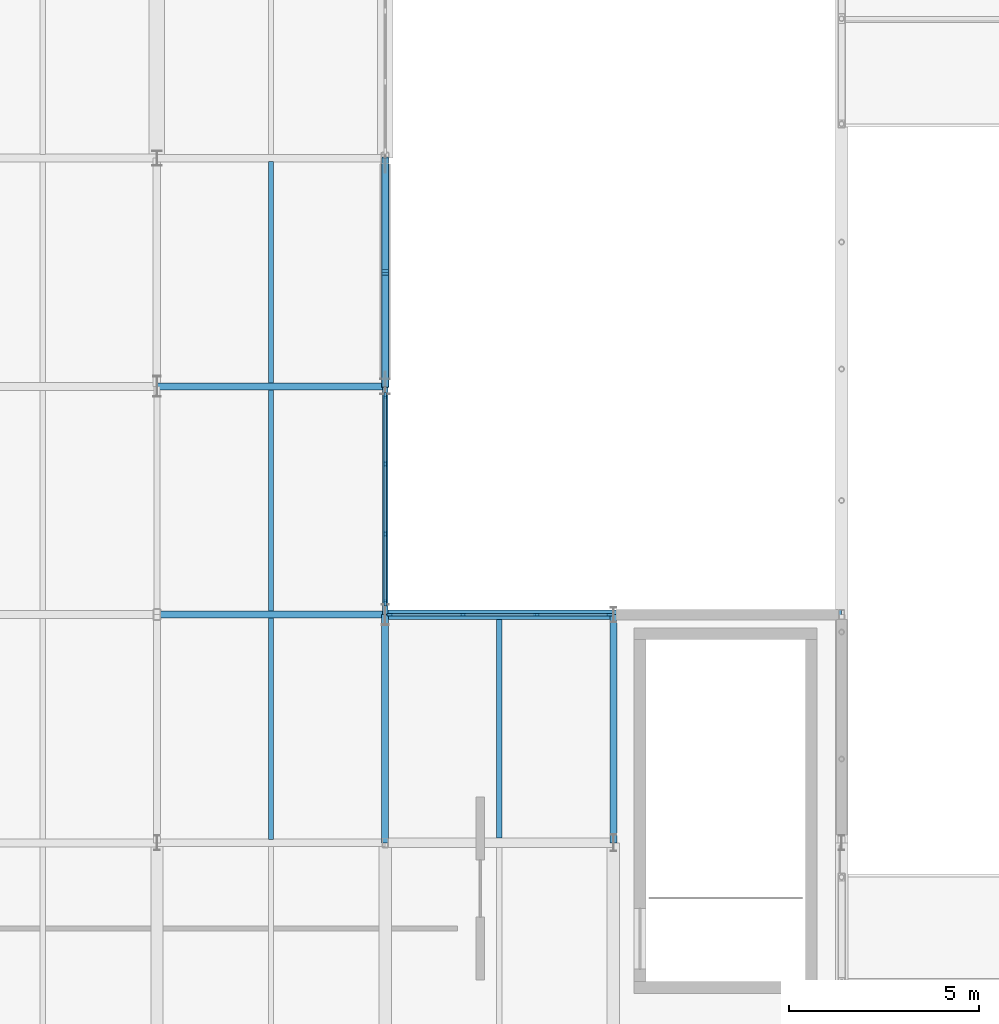
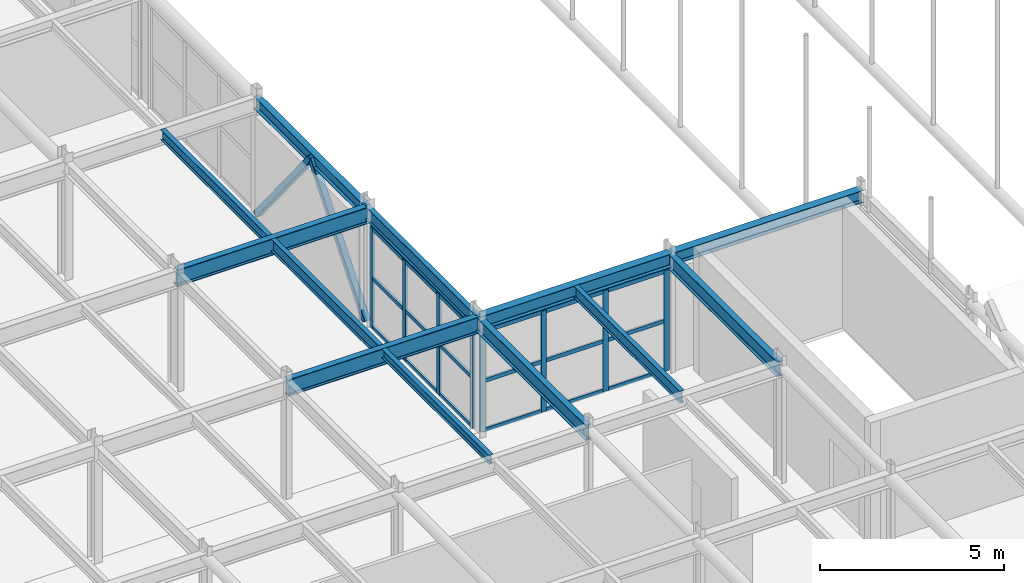
# One storey, part 28 of 116: 28 members, 12 beams, 2 elements without a shape of their own.
"""IFC4 building model written with IfcOpenShell, lengths in metres."""

from ifc_helpers import new_model, si_unit, direction, frame, origin, origin_2d, place, context, subcontext, project, spatial, rectangle, hollow_rectangle, i_section, extrude, material, material_profile, profile_set, type_object, element, aggregate, save


model = new_model("IFC4")

# Units and contexts
model_context = context("Model", 3, precision=1e-05, world=origin(), true_north=direction((0.0, 1.0)))
body_context = subcontext(model_context, "Body", "Model", "MODEL_VIEW")
ifc_project = project(units=[si_unit("LENGTHUNIT", "METRE"), si_unit("AREAUNIT", "SQUARE_METRE"), si_unit("VOLUMEUNIT", "CUBIC_METRE"), si_unit("PLANEANGLEUNIT", "RADIAN"), si_unit("MASSUNIT", "GRAM", prefix="KILO")], contexts=[model_context])

# Site, building, storey
site_placement = place(None, origin())
site = spatial("IfcSite", under=ifc_project, at=site_placement, CompositionType="ELEMENT")
building_placement = place(site_placement, origin())
building = spatial("IfcBuilding", under=site, at=building_placement, Name="Varnakota Square Police Headquarters", CompositionType="ELEMENT")
storey_placement = place(building_placement, frame((0.0, 0.0, 9.300048828125)))
storey = spatial("IfcBuildingStorey", under=building, at=storey_placement, Name="L02", CompositionType="ELEMENT", Elevation=9.300048828125)

# Beams
ifc_material_1 = material(Name="Steel IS 2062 Grade 350", Category="steel")
ifc_material_profile_1 = material_profile(ifc_material_1, i_section(OverallWidth=0.25, OverallDepth=0.39990234375, WebThickness=0.010498046875, FlangeThickness=0.0126953125, FilletRadius=0.013916015625, at=origin_2d()), Name="ISHB 400")
ifc_profile_set_1 = profile_set([ifc_material_profile_1], Name="Steel IS 2062 Grade 350")
beam_type_1 = type_object("IfcBeamType", Name="BM-ISHB400", PredefinedType="BEAM", material=ifc_profile_set_1)
beam_1_placement = place(storey_placement, frame((48.0, 21.0, 3.699951171875), z_axis=(1.0, 0.0, 0.0), x_axis=(0.0, 1.0, 0.0)))
element("IfcBeam", 1, at=beam_1_placement, inside=storey, type_object=beam_type_1, Name="BMG-L02-1948", PredefinedType="BEAM", context=body_context, shape_type="SweptSolid", body=[
    extrude(i_section(OverallWidth=0.25, OverallDepth=0.39990234375, WebThickness=0.010498046875, FlangeThickness=0.0126953125, FilletRadius=0.013916015625, at=origin_2d()), origin(), (0.0, 0.0, 1.0), 6.0),
])
ifc_material_profile_2 = material_profile(ifc_material_1, i_section(OverallWidth=0.25, OverallDepth=0.449951171875, WebThickness=0.01123046875, FlangeThickness=0.013671875, FilletRadius=0.014892578125, at=origin_2d()), Name="ISHB 450")
ifc_profile_set_2 = profile_set([ifc_material_profile_2], Name="Steel IS 2062 Grade 350")
beam_type_2 = type_object("IfcBeamType", Name="BM-ISHB450", PredefinedType="BEAM", material=ifc_profile_set_2)
beam_2_placement = place(storey_placement, frame((42.0, 21.0, 3.675048828125), z_axis=(1.0, 0.0, 0.0), x_axis=(0.0, 1.0, 0.0)))
element("IfcBeam", 2, at=beam_2_placement, inside=storey, type_object=beam_type_2, Name="BMG-L02-1947", PredefinedType="BEAM", context=body_context, shape_type="SweptSolid", body=[
    extrude(i_section(OverallWidth=0.25, OverallDepth=0.449951171875, WebThickness=0.01123046875, FlangeThickness=0.013671875, FilletRadius=0.014892578125, at=origin_2d()), origin(), (0.0, 0.0, 1.0), 6.0),
])
ifc_material_profile_3 = material_profile(ifc_material_1, i_section(OverallWidth=0.139892578125, OverallDepth=0.300048828125, WebThickness=0.0078125, FlangeThickness=0.01318359375, FilletRadius=0.013916015625, at=origin_2d()), Name="ISMB 300")
ifc_profile_set_3 = profile_set([ifc_material_profile_3], Name="Steel IS 2062 Grade 350")
beam_type_3 = type_object("IfcBeamType", Name="BM-ISMB300", PredefinedType="JOIST", material=ifc_profile_set_3)
beam_3_placement = place(storey_placement, frame((39.0, 15.093017578125, 3.75), z_axis=(0.0, 1.0, 0.0), x_axis=(-1.0, 0.0, 0.0)))
element("IfcBeam", 3, at=beam_3_placement, inside=storey, type_object=beam_type_3, Name="BMG-L02-2358", PredefinedType="JOIST", context=body_context, shape_type="SweptSolid", body=[
    extrude(i_section(OverallWidth=0.139892578125, OverallDepth=0.300048828125, WebThickness=0.0078125, FlangeThickness=0.01318359375, FilletRadius=0.013916015625, at=origin_2d()), origin(), (0.0, 0.0, 1.0), 5.81396484375),
])
ifc_material_profile_4 = material_profile(ifc_material_1, i_section(OverallWidth=0.139892578125, OverallDepth=0.35009765625, WebThickness=0.008056640625, FlangeThickness=0.01416015625, FilletRadius=0.013916015625, at=origin_2d()), Name="ISMB 350")
ifc_profile_set_4 = profile_set([ifc_material_profile_4], Name="Steel IS 2062 Grade 350")
beam_type_4 = type_object("IfcBeamType", Name="BM-ISMB350", PredefinedType="JOIST", material=ifc_profile_set_4)
beam_4_placement = place(storey_placement, frame((39.0, 27.093017578125, 3.724853515625), z_axis=(0.0, 1.0, 0.0), x_axis=(-1.0, 0.0, 0.0)))
element("IfcBeam", 4, at=beam_4_placement, inside=storey, type_object=beam_type_4, Name="BMG-L02-2360", PredefinedType="JOIST", context=body_context, shape_type="SweptSolid", body=[
    extrude(i_section(OverallWidth=0.139892578125, OverallDepth=0.35009765625, WebThickness=0.008056640625, FlangeThickness=0.01416015625, FilletRadius=0.013916015625, at=origin_2d()), origin(), (0.0, 0.0, 1.0), 5.81396484375),
])
ifc_material_profile_5 = material_profile(ifc_material_1, i_section(OverallWidth=0.139892578125, OverallDepth=0.39990234375, WebThickness=0.0087890625, FlangeThickness=0.01611328125, FilletRadius=0.013916015625, at=origin_2d()), Name="ISMB 400")
ifc_profile_set_5 = profile_set([ifc_material_profile_5], Name="Steel IS 2062 Grade 350")
beam_type_5 = type_object("IfcBeamType", Name="BM-ISMB400", PredefinedType="JOIST", material=ifc_profile_set_5)
beam_5_placement = place(storey_placement, frame((39.0, 21.093017578125, 3.699951171875), z_axis=(0.0, 1.0, 0.0), x_axis=(-1.0, 0.0, 0.0)))
element("IfcBeam", 5, at=beam_5_placement, inside=storey, type_object=beam_type_5, Name="BMG-L02-2359", PredefinedType="JOIST", context=body_context, shape_type="SweptSolid", body=[
    extrude(i_section(OverallWidth=0.139892578125, OverallDepth=0.39990234375, WebThickness=0.0087890625, FlangeThickness=0.01611328125, FilletRadius=0.013916015625, at=origin_2d()), origin(), (0.0, 0.0, 1.0), 5.81396484375),
])
beam_6_placement = place(storey_placement, frame((45.0, 15.123046875, 3.699951171875), z_axis=(0.0, 1.0, 0.0), x_axis=(-1.0, 0.0, 0.0)))
element("IfcBeam", 6, at=beam_6_placement, inside=storey, type_object=beam_type_5, Name="BMG-L02-2370", PredefinedType="JOIST", context=body_context, shape_type="SweptSolid", body=[
    extrude(i_section(OverallWidth=0.139892578125, OverallDepth=0.39990234375, WebThickness=0.0087890625, FlangeThickness=0.01611328125, FilletRadius=0.013916015625, at=origin_2d()), origin(), (0.0, 0.0, 1.0), 5.75390625),
])
ifc_material_profile_6 = material_profile(ifc_material_1, i_section(OverallWidth=0.14990234375, OverallDepth=0.449951171875, WebThickness=0.009521484375, FlangeThickness=0.017333984375, FilletRadius=0.014892578125, at=origin_2d()), Name="ISMB 450")
ifc_profile_set_6 = profile_set([ifc_material_profile_6], Name="Steel IS 2062 Grade 350")
beam_type_6 = type_object("IfcBeamType", Name="BM-ISMB450", PredefinedType="BEAM", material=ifc_profile_set_6)
beam_7_placement = place(storey_placement, frame((42.0, 21.0, 3.675048828125), z_axis=(0.0, 1.0, 0.0), x_axis=(-1.0, 0.0, 0.0)))
element("IfcBeam", 7, at=beam_7_placement, inside=storey, type_object=beam_type_6, Name="BMG-L02-2183", PredefinedType="BEAM", context=body_context, shape_type="SweptSolid", body=[
    extrude(i_section(OverallWidth=0.14990234375, OverallDepth=0.449951171875, WebThickness=0.009521484375, FlangeThickness=0.017333984375, FilletRadius=0.014892578125, at=origin_2d()), origin(), (0.0, 0.0, 1.0), 6.0),
])
ifc_material_profile_7 = material_profile(ifc_material_1, i_section(OverallWidth=0.179931640625, OverallDepth=0.5, WebThickness=0.01025390625, FlangeThickness=0.01708984375, FilletRadius=0.01708984375, at=origin_2d()), Name="ISMB 500")
ifc_profile_set_7 = profile_set([ifc_material_profile_7], Name="Steel IS 2062 Grade 350")
beam_type_7 = type_object("IfcBeamType", Name="BM-ISMB500", PredefinedType="BEAM", material=ifc_profile_set_7)
for number, where, z_axis, x_axis, name in (
    (8, (42.0, 15.0, 3.64990234375), (0.0, 1.0, 0.0), (-1.0, 0.0, 0.0), "BMG-L02-2182"),
    (9, (48.0, 15.0, 3.64990234375), (0.0, 1.0, 0.0), (-1.0, 0.0, 0.0), "BMG-L02-2196"),
):
    element("IfcBeam", number, at=place(storey_placement, frame(where, z_axis=z_axis, x_axis=x_axis)), inside=storey, type_object=beam_type_7, Name=name, PredefinedType="BEAM", context=body_context, shape_type="SweptSolid", body=[
        extrude(i_section(OverallWidth=0.179931640625, OverallDepth=0.5, WebThickness=0.01025390625, FlangeThickness=0.01708984375, FilletRadius=0.01708984375, at=origin_2d()), origin(), (0.0, 0.0, 1.0), 6.0),
    ])
ifc_material_profile_8 = material_profile(ifc_material_1, i_section(OverallWidth=0.18994140625, OverallDepth=0.550048828125, WebThickness=0.01123046875, FlangeThickness=0.019287109375, FilletRadius=0.01806640625, at=origin_2d()), Name="ISMB 550")
ifc_profile_set_8 = profile_set([ifc_material_profile_8], Name="Steel IS 2062 Grade 350")
beam_type_8 = type_object("IfcBeamType", Name="BM-ISMB550", PredefinedType="BEAM", material=ifc_profile_set_8)
for number, where, z_axis, x_axis, name in (
    (10, (36.0, 21.0, 3.625), (1.0, 0.0, 0.0), (0.0, 1.0, 0.0), "BMG-L02-1946"),
    (11, (36.0, 27.0, 3.625), (1.0, 0.0, 0.0), (0.0, 1.0, 0.0), "BMG-L02-1958"),
):
    element("IfcBeam", number, at=place(storey_placement, frame(where, z_axis=z_axis, x_axis=x_axis)), inside=storey, type_object=beam_type_8, Name=name, PredefinedType="BEAM", context=body_context, shape_type="SweptSolid", body=[
        extrude(i_section(OverallWidth=0.18994140625, OverallDepth=0.550048828125, WebThickness=0.01123046875, FlangeThickness=0.019287109375, FilletRadius=0.01806640625, at=origin_2d()), origin(), (0.0, 0.0, 1.0), 6.0),
    ])
ifc_material_profile_9 = material_profile(ifc_material_1, i_section(OverallWidth=0.199951171875, OverallDepth=0.39990234375, WebThickness=0.008544921875, FlangeThickness=0.012939453125, FilletRadius=0.012939453125, at=origin_2d()), Name="ISWB 400")
ifc_profile_set_9 = profile_set([ifc_material_profile_9], Name="Steel IS 2062 Grade 350")
beam_type_9 = type_object("IfcBeamType", Name="BM-ISWB400", PredefinedType="BEAM", material=ifc_profile_set_9)
beam_8_placement = place(storey_placement, frame((42.0, 27.0, 3.699951171875), z_axis=(0.0, 1.0, 0.0), x_axis=(-1.0, 0.0, 0.0)))
element("IfcBeam", 12, at=beam_8_placement, inside=storey, type_object=beam_type_9, Name="BMG-L02-2184", PredefinedType="BEAM", context=body_context, shape_type="SweptSolid", body=[
    extrude(i_section(OverallWidth=0.199951171875, OverallDepth=0.39990234375, WebThickness=0.008544921875, FlangeThickness=0.012939453125, FilletRadius=0.012939453125, at=origin_2d()), origin(), (0.0, 0.0, 1.0), 6.0),
])

# Curtain wall, members
ifc_material_2 = material(Name="Anodised Aluminium Framing", Category="aluminium")
curtain_wall_type_1 = type_object("IfcCurtainWallType", Name="CW-SYS-C", PredefinedType="NOTDEFINED", material=ifc_material_2)
curtain_wall_1_placement = place(storey_placement, origin())
curtain_wall_1 = element("IfcCurtainWall", 13, at=curtain_wall_1_placement, inside=storey, type_object=curtain_wall_type_1, Name="Unitised curtain wall CWG-L02-045", PredefinedType="NOTDEFINED")
ifc_material_3 = material(Name="Anodised Aluminium 6063-T6", Category="aluminium")
ifc_material_profile_10 = material_profile(ifc_material_3, rectangle(XDim=0.06494140625, YDim=0.159912109375, at=origin_2d()), Name="ALU MULLION 65x160")
ifc_profile_set_10 = profile_set([ifc_material_profile_10], Name="Anodised Aluminium 6063-T6")
member_type_1 = type_object("IfcMemberType", Name="CWM-150", PredefinedType="MULLION", material=ifc_profile_set_10)
member_1_placement = place(storey_placement, frame((42.132568359375, 21.0, 0.0), z_axis=(0.0, 0.0, 1.0), x_axis=(0.0, 1.0, 0.0)))
member_1 = element("IfcMember", 14, at=member_1_placement, type_object=member_type_1, Name="CWG-L02-045 mullion 1", PredefinedType="MULLION", context=body_context, shape_type="SweptSolid", body=[
    extrude(rectangle(XDim=0.06494140625, YDim=0.159912109375, at=origin_2d()), origin(), (0.0, 0.0, 1.0), 3.33984375),
])
member_2_placement = place(storey_placement, frame((44.041748046875, 21.0, 0.0), z_axis=(0.0, 0.0, 1.0), x_axis=(0.0, 1.0, 0.0)))
member_2 = element("IfcMember", 15, at=member_2_placement, type_object=member_type_1, Name="CWG-L02-045 mullion 2", PredefinedType="MULLION", context=body_context, shape_type="SweptSolid", body=[
    extrude(rectangle(XDim=0.06494140625, YDim=0.159912109375, at=origin_2d()), origin(), (0.0, 0.0, 1.0), 3.33984375),
])
member_3_placement = place(storey_placement, frame((45.9833984375, 21.0, 0.0), z_axis=(0.0, 0.0, 1.0), x_axis=(0.0, 1.0, 0.0)))
member_3 = element("IfcMember", 16, at=member_3_placement, type_object=member_type_1, Name="CWG-L02-045 mullion 3", PredefinedType="MULLION", context=body_context, shape_type="SweptSolid", body=[
    extrude(rectangle(XDim=0.06494140625, YDim=0.159912109375, at=origin_2d()), origin(), (0.0, 0.0, 1.0), 3.33984375),
])
member_4_placement = place(storey_placement, frame((47.892578125, 21.0, 0.0), z_axis=(0.0, 0.0, 1.0), x_axis=(0.0, 1.0, 0.0)))
member_4 = element("IfcMember", 17, at=member_4_placement, type_object=member_type_1, Name="CWG-L02-045 mullion 4", PredefinedType="MULLION", context=body_context, shape_type="SweptSolid", body=[
    extrude(rectangle(XDim=0.06494140625, YDim=0.159912109375, at=origin_2d()), origin(), (0.0, 0.0, 1.0), 3.33984375),
])

curtain_wall_type_2 = type_object("IfcCurtainWallType", Name="CW-SYS-D", PredefinedType="NOTDEFINED", material=ifc_material_2)
curtain_wall_2_placement = place(storey_placement, origin())
curtain_wall_2 = element("IfcCurtainWall", 18, at=curtain_wall_2_placement, inside=storey, type_object=curtain_wall_type_2, Name="Unitised curtain wall CWG-L02-154", PredefinedType="NOTDEFINED")
member_5_placement = place(storey_placement, frame((42.0, 21.3125, 0.0), z_axis=(0.0, 0.0, 1.0), x_axis=(-1.0, 0.0, 0.0)))
member_5 = element("IfcMember", 19, at=member_5_placement, type_object=member_type_1, Name="CWG-L02-154 mullion 1", PredefinedType="MULLION", context=body_context, shape_type="SweptSolid", body=[
    extrude(rectangle(XDim=0.06494140625, YDim=0.159912109375, at=origin_2d()), origin(), (0.0, 0.0, 1.0), 3.33984375),
])
member_6_placement = place(storey_placement, frame((42.0, 23.118408203125, 0.0), z_axis=(0.0, 0.0, 1.0), x_axis=(-1.0, 0.0, 0.0)))
member_6 = element("IfcMember", 20, at=member_6_placement, type_object=member_type_1, Name="CWG-L02-154 mullion 2", PredefinedType="MULLION", context=body_context, shape_type="SweptSolid", body=[
    extrude(rectangle(XDim=0.06494140625, YDim=0.159912109375, at=origin_2d()), origin(), (0.0, 0.0, 1.0), 3.33984375),
])
member_7_placement = place(storey_placement, frame((42.0, 24.956787109375, 0.0), z_axis=(0.0, 0.0, 1.0), x_axis=(-1.0, 0.0, 0.0)))
member_7 = element("IfcMember", 21, at=member_7_placement, type_object=member_type_1, Name="CWG-L02-154 mullion 3", PredefinedType="MULLION", context=body_context, shape_type="SweptSolid", body=[
    extrude(rectangle(XDim=0.06494140625, YDim=0.159912109375, at=origin_2d()), origin(), (0.0, 0.0, 1.0), 3.33984375),
])
member_8_placement = place(storey_placement, frame((42.0, 26.762451171875, 0.0), z_axis=(0.0, 0.0, 1.0), x_axis=(-1.0, 0.0, 0.0)))
member_8 = element("IfcMember", 22, at=member_8_placement, type_object=member_type_1, Name="CWG-L02-154 mullion 4", PredefinedType="MULLION", context=body_context, shape_type="SweptSolid", body=[
    extrude(rectangle(XDim=0.06494140625, YDim=0.159912109375, at=origin_2d()), origin(), (0.0, 0.0, 1.0), 3.33984375),
])

# Member
ifc_material_profile_11 = material_profile(ifc_material_3, rectangle(XDim=0.06494140625, YDim=0.1298828125, at=origin_2d()), Name="ALU TRANSOM 65x130")
ifc_profile_set_11 = profile_set([ifc_material_profile_11], Name="Anodised Aluminium 6063-T6")
member_type_2 = type_object("IfcMemberType", Name="CWT-120", PredefinedType="USERDEFINED", material=ifc_profile_set_11)
member_9_placement = place(storey_placement, frame((42.1650390625, 21.0, 0.032470703125), z_axis=(1.0, 0.0, 0.0), x_axis=(0.0, 1.0, 0.0)))
member_9 = element("IfcMember", 23, at=member_9_placement, type_object=member_type_2, Name="CWG-L02-045 transom 1.1", ObjectType="TRANSOM", PredefinedType="USERDEFINED", context=body_context, shape_type="SweptSolid", body=[
    extrude(rectangle(XDim=0.06494140625, YDim=0.1298828125, at=origin_2d()), origin(), (0.0, 0.0, 1.0), 1.84423828125),
])

member_10_placement = place(storey_placement, frame((42.1650390625, 21.0, 1.669921875), z_axis=(1.0, 0.0, 0.0), x_axis=(0.0, 1.0, 0.0)))
member_10 = element("IfcMember", 24, at=member_10_placement, type_object=member_type_2, Name="CWG-L02-045 transom 1.2", ObjectType="TRANSOM", PredefinedType="USERDEFINED", context=body_context, shape_type="SweptSolid", body=[
    extrude(rectangle(XDim=0.06494140625, YDim=0.1298828125, at=origin_2d()), origin(), (0.0, 0.0, 1.0), 1.84423828125),
])

member_11_placement = place(storey_placement, frame((42.1650390625, 21.0, 3.307373046875), z_axis=(1.0, 0.0, 0.0), x_axis=(0.0, 1.0, 0.0)))
member_11 = element("IfcMember", 25, at=member_11_placement, type_object=member_type_2, Name="CWG-L02-045 transom 1.3", ObjectType="TRANSOM", PredefinedType="USERDEFINED", context=body_context, shape_type="SweptSolid", body=[
    extrude(rectangle(XDim=0.06494140625, YDim=0.1298828125, at=origin_2d()), origin(), (0.0, 0.0, 1.0), 1.84423828125),
])

member_12_placement = place(storey_placement, frame((44.07421875, 21.0, 0.032470703125), z_axis=(1.0, 0.0, 0.0), x_axis=(0.0, 1.0, 0.0)))
member_12 = element("IfcMember", 26, at=member_12_placement, type_object=member_type_2, Name="CWG-L02-045 transom 2.1", ObjectType="TRANSOM", PredefinedType="USERDEFINED", context=body_context, shape_type="SweptSolid", body=[
    extrude(rectangle(XDim=0.06494140625, YDim=0.1298828125, at=origin_2d()), origin(), (0.0, 0.0, 1.0), 1.876708984375),
])

member_13_placement = place(storey_placement, frame((44.07421875, 21.0, 1.669921875), z_axis=(1.0, 0.0, 0.0), x_axis=(0.0, 1.0, 0.0)))
member_13 = element("IfcMember", 27, at=member_13_placement, type_object=member_type_2, Name="CWG-L02-045 transom 2.2", ObjectType="TRANSOM", PredefinedType="USERDEFINED", context=body_context, shape_type="SweptSolid", body=[
    extrude(rectangle(XDim=0.06494140625, YDim=0.1298828125, at=origin_2d()), origin(), (0.0, 0.0, 1.0), 1.876708984375),
])

member_14_placement = place(storey_placement, frame((44.07421875, 21.0, 3.307373046875), z_axis=(1.0, 0.0, 0.0), x_axis=(0.0, 1.0, 0.0)))
member_14 = element("IfcMember", 28, at=member_14_placement, type_object=member_type_2, Name="CWG-L02-045 transom 2.3", ObjectType="TRANSOM", PredefinedType="USERDEFINED", context=body_context, shape_type="SweptSolid", body=[
    extrude(rectangle(XDim=0.06494140625, YDim=0.1298828125, at=origin_2d()), origin(), (0.0, 0.0, 1.0), 1.876708984375),
])

member_15_placement = place(storey_placement, frame((46.015869140625, 21.0, 0.032470703125), z_axis=(1.0, 0.0, 0.0), x_axis=(0.0, 1.0, 0.0)))
member_15 = element("IfcMember", 29, at=member_15_placement, type_object=member_type_2, Name="CWG-L02-045 transom 3.1", ObjectType="TRANSOM", PredefinedType="USERDEFINED", context=body_context, shape_type="SweptSolid", body=[
    extrude(rectangle(XDim=0.06494140625, YDim=0.1298828125, at=origin_2d()), origin(), (0.0, 0.0, 1.0), 1.84423828125),
])

member_16_placement = place(storey_placement, frame((46.015869140625, 21.0, 1.669921875), z_axis=(1.0, 0.0, 0.0), x_axis=(0.0, 1.0, 0.0)))
member_16 = element("IfcMember", 30, at=member_16_placement, type_object=member_type_2, Name="CWG-L02-045 transom 3.2", ObjectType="TRANSOM", PredefinedType="USERDEFINED", context=body_context, shape_type="SweptSolid", body=[
    extrude(rectangle(XDim=0.06494140625, YDim=0.1298828125, at=origin_2d()), origin(), (0.0, 0.0, 1.0), 1.84423828125),
])

member_17_placement = place(storey_placement, frame((46.015869140625, 21.0, 3.307373046875), z_axis=(1.0, 0.0, 0.0), x_axis=(0.0, 1.0, 0.0)))
member_17 = element("IfcMember", 31, at=member_17_placement, type_object=member_type_2, Name="CWG-L02-045 transom 3.3", ObjectType="TRANSOM", PredefinedType="USERDEFINED", context=body_context, shape_type="SweptSolid", body=[
    extrude(rectangle(XDim=0.06494140625, YDim=0.1298828125, at=origin_2d()), origin(), (0.0, 0.0, 1.0), 1.84423828125),
])

aggregate(curtain_wall_1, [member_1, member_2, member_3, member_4, member_9, member_10, member_11, member_12, member_13, member_14, member_15, member_16, member_17])

member_18_placement = place(storey_placement, frame((42.0, 21.344970703125, 0.032470703125), z_axis=(0.0, 1.0, 0.0), x_axis=(-1.0, 0.0, 0.0)))
member_18 = element("IfcMember", 32, at=member_18_placement, type_object=member_type_2, Name="CWG-L02-154 transom 1.1", ObjectType="TRANSOM", PredefinedType="USERDEFINED", context=body_context, shape_type="SweptSolid", body=[
    extrude(rectangle(XDim=0.06494140625, YDim=0.1298828125, at=origin_2d()), origin(), (0.0, 0.0, 1.0), 1.740966796875),
])

member_19_placement = place(storey_placement, frame((42.0, 21.344970703125, 1.669921875), z_axis=(0.0, 1.0, 0.0), x_axis=(-1.0, 0.0, 0.0)))
member_19 = element("IfcMember", 33, at=member_19_placement, type_object=member_type_2, Name="CWG-L02-154 transom 1.2", ObjectType="TRANSOM", PredefinedType="USERDEFINED", context=body_context, shape_type="SweptSolid", body=[
    extrude(rectangle(XDim=0.06494140625, YDim=0.1298828125, at=origin_2d()), origin(), (0.0, 0.0, 1.0), 1.740966796875),
])

member_20_placement = place(storey_placement, frame((42.0, 21.344970703125, 3.307373046875), z_axis=(0.0, 1.0, 0.0), x_axis=(-1.0, 0.0, 0.0)))
member_20 = element("IfcMember", 34, at=member_20_placement, type_object=member_type_2, Name="CWG-L02-154 transom 1.3", ObjectType="TRANSOM", PredefinedType="USERDEFINED", context=body_context, shape_type="SweptSolid", body=[
    extrude(rectangle(XDim=0.06494140625, YDim=0.1298828125, at=origin_2d()), origin(), (0.0, 0.0, 1.0), 1.740966796875),
])

member_21_placement = place(storey_placement, frame((42.0, 23.15087890625, 0.032470703125), z_axis=(0.0, 1.0, 0.0), x_axis=(-1.0, 0.0, 0.0)))
member_21 = element("IfcMember", 35, at=member_21_placement, type_object=member_type_2, Name="CWG-L02-154 transom 2.1", ObjectType="TRANSOM", PredefinedType="USERDEFINED", context=body_context, shape_type="SweptSolid", body=[
    extrude(rectangle(XDim=0.06494140625, YDim=0.1298828125, at=origin_2d()), origin(), (0.0, 0.0, 1.0), 1.773193359375),
])

member_22_placement = place(storey_placement, frame((42.0, 23.15087890625, 1.669921875), z_axis=(0.0, 1.0, 0.0), x_axis=(-1.0, 0.0, 0.0)))
member_22 = element("IfcMember", 36, at=member_22_placement, type_object=member_type_2, Name="CWG-L02-154 transom 2.2", ObjectType="TRANSOM", PredefinedType="USERDEFINED", context=body_context, shape_type="SweptSolid", body=[
    extrude(rectangle(XDim=0.06494140625, YDim=0.1298828125, at=origin_2d()), origin(), (0.0, 0.0, 1.0), 1.773193359375),
])

member_23_placement = place(storey_placement, frame((42.0, 23.15087890625, 3.307373046875), z_axis=(0.0, 1.0, 0.0), x_axis=(-1.0, 0.0, 0.0)))
member_23 = element("IfcMember", 37, at=member_23_placement, type_object=member_type_2, Name="CWG-L02-154 transom 2.3", ObjectType="TRANSOM", PredefinedType="USERDEFINED", context=body_context, shape_type="SweptSolid", body=[
    extrude(rectangle(XDim=0.06494140625, YDim=0.1298828125, at=origin_2d()), origin(), (0.0, 0.0, 1.0), 1.773193359375),
])

member_24_placement = place(storey_placement, frame((42.0, 24.9892578125, 0.032470703125), z_axis=(0.0, 1.0, 0.0), x_axis=(-1.0, 0.0, 0.0)))
member_24 = element("IfcMember", 38, at=member_24_placement, type_object=member_type_2, Name="CWG-L02-154 transom 3.1", ObjectType="TRANSOM", PredefinedType="USERDEFINED", context=body_context, shape_type="SweptSolid", body=[
    extrude(rectangle(XDim=0.06494140625, YDim=0.1298828125, at=origin_2d()), origin(), (0.0, 0.0, 1.0), 1.74072265625),
])

member_25_placement = place(storey_placement, frame((42.0, 24.9892578125, 1.669921875), z_axis=(0.0, 1.0, 0.0), x_axis=(-1.0, 0.0, 0.0)))
member_25 = element("IfcMember", 39, at=member_25_placement, type_object=member_type_2, Name="CWG-L02-154 transom 3.2", ObjectType="TRANSOM", PredefinedType="USERDEFINED", context=body_context, shape_type="SweptSolid", body=[
    extrude(rectangle(XDim=0.06494140625, YDim=0.1298828125, at=origin_2d()), origin(), (0.0, 0.0, 1.0), 1.74072265625),
])

member_26_placement = place(storey_placement, frame((42.0, 24.9892578125, 3.307373046875), z_axis=(0.0, 1.0, 0.0), x_axis=(-1.0, 0.0, 0.0)))
member_26 = element("IfcMember", 40, at=member_26_placement, type_object=member_type_2, Name="CWG-L02-154 transom 3.3", ObjectType="TRANSOM", PredefinedType="USERDEFINED", context=body_context, shape_type="SweptSolid", body=[
    extrude(rectangle(XDim=0.06494140625, YDim=0.1298828125, at=origin_2d()), origin(), (0.0, 0.0, 1.0), 1.74072265625),
])

aggregate(curtain_wall_2, [member_5, member_6, member_7, member_8, member_18, member_19, member_20, member_21, member_22, member_23, member_24, member_25, member_26])

# Members
ifc_material_profile_12 = material_profile(ifc_material_1, hollow_rectangle(XDim=0.199951171875, YDim=0.199951171875, WallThickness=0.010009765625, InnerFilletRadius=0.010009765625, OuterFilletRadius=0.02001953125, at=origin_2d()), Name="SHS 200x200x10")
ifc_profile_set_12 = profile_set([ifc_material_profile_12], Name="Steel IS 2062 Grade 350")
member_type_3 = type_object("IfcMemberType", Name="MEM-BR-SHS200", PredefinedType="BRACE", material=ifc_profile_set_12)
for number, where, z_axis, x_axis, name in (
    (41, (42.0, 27.050048828125, 0.02001953125), (0.0, 0.630679081609, 0.776043746203), (-1.0, 0.0, 0.0), "Lateral brace BF3 L02 left"),
    (42, (42.0, 32.949951171875, 0.02001953125), (0.0, -0.630679081609, 0.776043746203), (1.0, 0.0, 0.0), "Lateral brace BF3 L02 right"),
):
    element("IfcMember", number, at=place(storey_placement, frame(where, z_axis=z_axis, x_axis=x_axis)), inside=storey, type_object=member_type_3, Name=name, PredefinedType="BRACE", context=body_context, shape_type="SweptSolid", body=[
        extrude(hollow_rectangle(XDim=0.199951171875, YDim=0.199951171875, WallThickness=0.010009765625, InnerFilletRadius=0.010009765625, OuterFilletRadius=0.02001953125, at=origin_2d()), origin(), (0.0, 0.0, 1.0), 4.677490234375),
    ])

save(model, "model.ifc")
